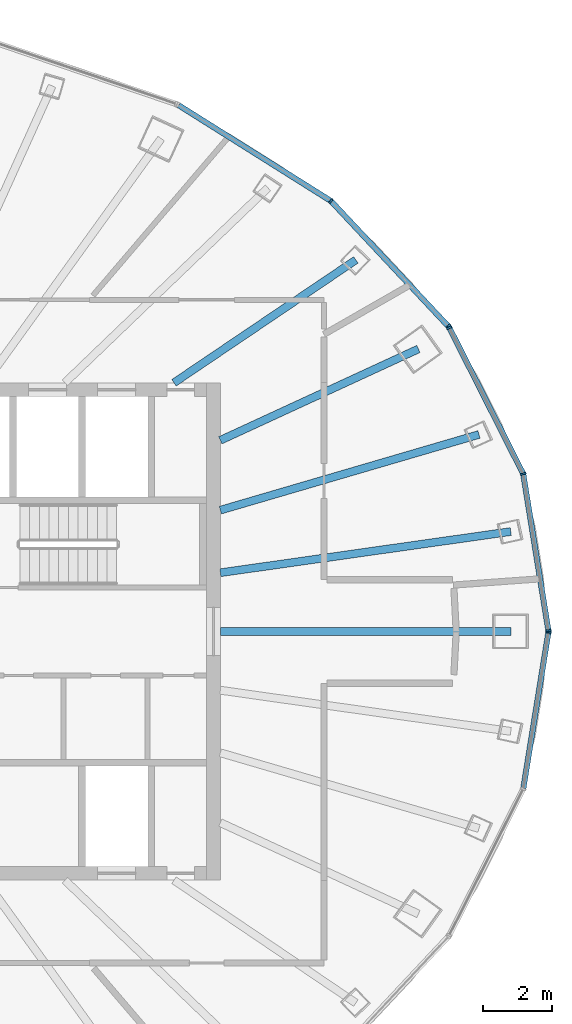
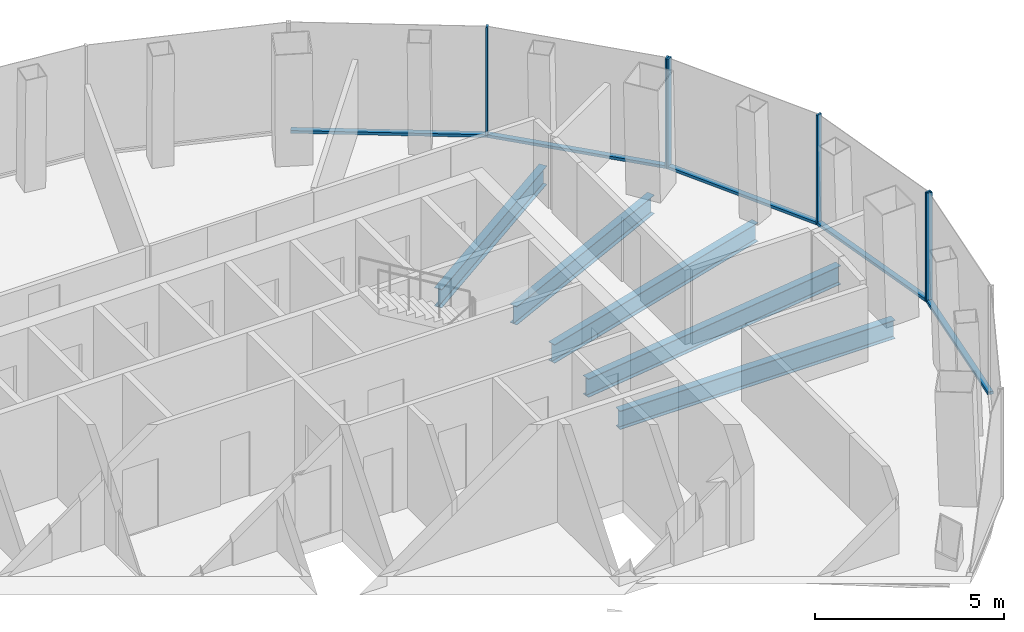
# One storey, part 6 of 12: 11 members, 5 beams, 3 elements without a shape of their own.
"""IFC4 building model written with IfcOpenShell, lengths in metres."""

from ifc_helpers import new_model, si_unit, direction, frame, origin, origin_2d, place, context, subcontext, project, spatial, rectangle, i_section, extrude, material, layer, layer_set, material_profile, profile_set, type_object, element, aggregate, save


model = new_model("IFC4")

# Units and contexts
model_context = context("Model", 3, precision=1e-05, world=origin(), true_north=direction((0.0, 1.0)))
body_context = subcontext(model_context, "Body", "Model", "MODEL_VIEW")
ifc_project = project(units=[si_unit("LENGTHUNIT", "METRE"), si_unit("AREAUNIT", "SQUARE_METRE"), si_unit("VOLUMEUNIT", "CUBIC_METRE"), si_unit("PLANEANGLEUNIT", "RADIAN"), si_unit("MASSUNIT", "GRAM", prefix="KILO")], contexts=[model_context])

# Site, building, storey
site_placement = place(None, origin())
site = spatial("IfcSite", under=ifc_project, at=site_placement, CompositionType="ELEMENT")
building_placement = place(site_placement, origin())
building = spatial("IfcBuilding", under=site, at=building_placement, Name="Siaravel Broadcast Tower", CompositionType="ELEMENT")
storey_placement = place(building_placement, frame((0.0, 0.0, 231.89990234375)))
storey = spatial("IfcBuildingStorey", under=building, at=storey_placement, Name="L56", CompositionType="ELEMENT", Elevation=231.89990234375)

# Beams
ifc_material_1 = material(Name="Steel S355", Category="steel")
ifc_material_profile_1 = material_profile(ifc_material_1, i_section(OverallWidth=0.2275390625, OverallDepth=0.6025390625, WebThickness=0.010498046875, FlangeThickness=0.014892578125, FilletRadius=0.0126953125, at=origin_2d()))
ifc_profile_set_1 = profile_set([ifc_material_profile_1], Name="Steel S355")
beam_type = type_object("IfcBeamType", Name="BM-UB 610x229x101", PredefinedType="BEAM", material=ifc_profile_set_1)
beam_1_placement = place(storey_placement, frame((20.416015625, 0.0, -0.451171875), z_axis=(-1.0, 0.0, 0.0), x_axis=(0.0, -1.0, 0.0)))
element("IfcBeam", 1, at=beam_1_placement, inside=storey, type_object=beam_type, Name="Radial beam RB01", PredefinedType="BEAM", context=body_context, shape_type="SweptSolid", body=[
    extrude(i_section(OverallWidth=0.2275390625, OverallDepth=0.6025390625, WebThickness=0.010498046875, FlangeThickness=0.014892578125, FilletRadius=0.0126953125, at=origin_2d()), origin(), (0.0, 0.0, 1.0), 8.416015625),
])
beam_2_placement = place(storey_placement, frame((20.406982421875, 2.89208984375, -0.451171875), z_axis=(-0.990107016, -0.14031428, 0.0), x_axis=(0.14031428, -0.990107016, 0.0)))
element("IfcBeam", 2, at=beam_2_placement, inside=storey, type_object=beam_type, Name="Radial beam RB02", PredefinedType="BEAM", context=body_context, shape_type="SweptSolid", body=[
    extrude(i_section(OverallWidth=0.2275390625, OverallDepth=0.6025390625, WebThickness=0.010498046875, FlangeThickness=0.014892578125, FilletRadius=0.0126953125, at=origin_2d()), origin(), (0.0, 0.0, 1.0), 8.490966796875),
])
beam_3_placement = place(storey_placement, frame((19.4873046875, 5.702880859375, -0.451171875), z_axis=(-0.959745843, -0.280869928, 0.0), x_axis=(0.280869928, -0.959745843, 0.0)))
element("IfcBeam", 3, at=beam_3_placement, inside=storey, type_object=beam_type, Name="Radial beam RB03", PredefinedType="BEAM", context=body_context, shape_type="SweptSolid", body=[
    extrude(i_section(OverallWidth=0.2275390625, OverallDepth=0.6025390625, WebThickness=0.010498046875, FlangeThickness=0.014892578125, FilletRadius=0.0126953125, at=origin_2d()), origin(), (0.0, 0.0, 1.0), 7.80126953125),
])
beam_4_placement = place(storey_placement, frame((17.734375, 8.17822265625, -0.451171875), z_axis=(-0.90810078, -0.418751684, 0.0), x_axis=(0.418751684, -0.90810078, 0.0)))
element("IfcBeam", 4, at=beam_4_placement, inside=storey, type_object=beam_type, Name="Radial beam RB04", PredefinedType="BEAM", context=body_context, shape_type="SweptSolid", body=[
    extrude(i_section(OverallWidth=0.2275390625, OverallDepth=0.6025390625, WebThickness=0.010498046875, FlangeThickness=0.014892578125, FilletRadius=0.0126953125, at=origin_2d()), origin(), (0.0, 0.0, 1.0), 6.314697265625),
])
beam_5_placement = place(storey_placement, frame((15.92333984375, 10.756103515625, -0.451171875), z_axis=(-0.828653044, -0.559762568, 0.0), x_axis=(0.559762568, -0.828653044, 0.0)))
element("IfcBeam", 5, at=beam_5_placement, inside=storey, type_object=beam_type, Name="Radial beam RB05", PredefinedType="BEAM", context=body_context, shape_type="SweptSolid", body=[
    extrude(i_section(OverallWidth=0.2275390625, OverallDepth=0.6025390625, WebThickness=0.010498046875, FlangeThickness=0.014892578125, FilletRadius=0.0126953125, at=origin_2d()), origin(), (0.0, 0.0, 1.0), 6.35302734375),
])

# Curtain wall, members
ifc_material_2 = material(Name="Aluminium 6063-T6", Category="aluminium")
ifc_layer = layer(ifc_material_2, 0.159912109375)
ifc_layer_set = layer_set([ifc_layer], Name="Aluminium 6063-T6")
curtain_wall_type = type_object("IfcCurtainWallType", Name="Unitised curtain wall, zone 4", PredefinedType="NOTDEFINED", material=ifc_layer_set)
curtain_wall_1_placement = place(storey_placement, origin())
curtain_wall_1 = element("IfcCurtainWall", 6, at=curtain_wall_1_placement, inside=storey, type_object=curtain_wall_type, Name="L56 Unitised curtain wall, zone 4 01", PredefinedType="NOTDEFINED")
ifc_material_profile_2 = material_profile(ifc_material_2, rectangle(XDim=0.159912109375, YDim=0.054931640625, at=origin_2d()))
ifc_profile_set_2 = profile_set([ifc_material_profile_2], Name="Aluminium 6063-T6")
member_type_1 = type_object("IfcMemberType", Name="CW-Z4 mullion", PredefinedType="MULLION", material=ifc_profile_set_2)
member_1_placement = place(storey_placement, frame((21.49755859375, 0.027099609375, 0.0), z_axis=(0.0, 0.0, 1.0), x_axis=(-0.987329287, -0.158684841, 0.0)))
member_1 = element("IfcMember", 7, at=member_1_placement, type_object=member_type_1, Name="CW-Z4 mullion 1", PredefinedType="MULLION", context=body_context, shape_type="SweptSolid", body=[
    extrude(rectangle(XDim=0.159912109375, YDim=0.054931640625, at=origin_2d()), origin(), (0.0, 0.0, 1.0), 3.550048828125),
])
member_2_placement = place(storey_placement, frame((20.7685546875, 4.5634765625, 0.0), z_axis=(0.0, 0.0, 1.0), x_axis=(-0.951177556, -0.308644223, 0.0)))
member_2 = element("IfcMember", 8, at=member_2_placement, type_object=member_type_1, Name="CW-Z4 mullion 2", PredefinedType="MULLION", context=body_context, shape_type="SweptSolid", body=[
    extrude(rectangle(XDim=0.159912109375, YDim=0.054931640625, at=origin_2d()), origin(), (0.0, 0.0, 1.0), 3.550048828125),
])
member_3_placement = place(storey_placement, frame((18.63134765625, 8.7900390625, 0.0), z_axis=(0.0, 0.0, 1.0), x_axis=(-0.89239278, -0.451259489, 0.0)))
member_3 = element("IfcMember", 9, at=member_3_placement, type_object=member_type_1, Name="CW-Z4 mullion 3", PredefinedType="MULLION", context=body_context, shape_type="SweptSolid", body=[
    extrude(rectangle(XDim=0.159912109375, YDim=0.054931640625, at=origin_2d()), origin(), (0.0, 0.0, 1.0), 3.550048828125),
])

curtain_wall_2_placement = place(storey_placement, origin())
curtain_wall_2 = element("IfcCurtainWall", 10, at=curtain_wall_2_placement, inside=storey, type_object=curtain_wall_type, Name="L56 Unitised curtain wall, zone 4 02", PredefinedType="NOTDEFINED")
member_4_placement = place(storey_placement, frame((18.60009765625, 8.834716796875, 0.0), z_axis=(0.0, 0.0, 1.0), x_axis=(-0.72980635, -0.683653927, 0.0)))
member_4 = element("IfcMember", 11, at=member_4_placement, type_object=member_type_1, Name="CW-Z4 mullion 1", PredefinedType="MULLION", context=body_context, shape_type="SweptSolid", body=[
    extrude(rectangle(XDim=0.159912109375, YDim=0.054931640625, at=origin_2d()), origin(), (0.0, 0.0, 1.0), 3.550048828125),
])
member_5_placement = place(storey_placement, frame((15.200439453125, 12.463623046875, 0.0), z_axis=(0.0, 0.0, 1.0), x_axis=(-0.636219746, -0.771507897, 0.0)))
member_5 = element("IfcMember", 12, at=member_5_placement, type_object=member_type_1, Name="CW-Z4 mullion 2", PredefinedType="MULLION", context=body_context, shape_type="SweptSolid", body=[
    extrude(rectangle(XDim=0.159912109375, YDim=0.054931640625, at=origin_2d()), origin(), (0.0, 0.0, 1.0), 3.550048828125),
])

# Curtain wall, member
curtain_wall_3_placement = place(storey_placement, origin())
curtain_wall_3 = element("IfcCurtainWall", 13, at=curtain_wall_3_placement, inside=storey, type_object=curtain_wall_type, Name="L56 Unitised curtain wall, zone 4 12", PredefinedType="NOTDEFINED")
member_6_placement = place(storey_placement, frame((21.49755859375, -0.027099609375, 0.0), z_axis=(0.0, 0.0, 1.0), x_axis=(-0.987329287, 0.158684841, 0.0)))
member_6 = element("IfcMember", 14, at=member_6_placement, type_object=member_type_1, Name="CW-Z4 mullion 3", PredefinedType="MULLION", context=body_context, shape_type="SweptSolid", body=[
    extrude(rectangle(XDim=0.159912109375, YDim=0.054931640625, at=origin_2d()), origin(), (0.0, 0.0, 1.0), 3.550048828125),
])

# Member
ifc_material_profile_3 = material_profile(ifc_material_2, rectangle(XDim=0.159912109375, YDim=0.090087890625, at=origin_2d()))
ifc_profile_set_3 = profile_set([ifc_material_profile_3], Name="Aluminium 6063-T6")
member_type_2 = type_object("IfcMemberType", Name="CW-Z4 transom", PredefinedType="USERDEFINED", material=ifc_profile_set_3)
member_7_placement = place(storey_placement, frame((21.493408203125, 0.05419921875, 0.045166015625), z_axis=(-0.158701499, 0.98732661, 0.0), x_axis=(-0.98732661, -0.158701499, 0.0)))
member_7 = element("IfcMember", 15, at=member_7_placement, type_object=member_type_2, Name="CW-Z4 transom 1", ObjectType="TRANSOM", PredefinedType="USERDEFINED", context=body_context, shape_type="SweptSolid", body=[
    extrude(rectangle(XDim=0.159912109375, YDim=0.090087890625, at=origin_2d()), origin(), (0.0, 0.0, 1.0), 4.539794921875),
])

member_8_placement = place(storey_placement, frame((20.756103515625, 4.587890625, 0.045166015625), z_axis=(-0.451235344, 0.892404989, 0.0), x_axis=(-0.892404989, -0.451235344, 0.0)))
member_8 = element("IfcMember", 16, at=member_8_placement, type_object=member_type_2, Name="CW-Z4 transom 2", ObjectType="TRANSOM", PredefinedType="USERDEFINED", context=body_context, shape_type="SweptSolid", body=[
    extrude(rectangle(XDim=0.159912109375, YDim=0.090087890625, at=origin_2d()), origin(), (0.0, 0.0, 1.0), 4.68115234375),
])

aggregate(curtain_wall_1, [member_1, member_2, member_3, member_7, member_8])

member_9_placement = place(storey_placement, frame((18.581298828125, 8.854736328125, 0.045166015625), z_axis=(-0.68367025, 0.729791059, 0.0), x_axis=(-0.729791059, -0.68367025, 0.0)))
member_9 = element("IfcMember", 17, at=member_9_placement, type_object=member_type_2, Name="CW-Z4 transom 1", ObjectType="TRANSOM", PredefinedType="USERDEFINED", context=body_context, shape_type="SweptSolid", body=[
    extrude(rectangle(XDim=0.159912109375, YDim=0.090087890625, at=origin_2d()), origin(), (0.0, 0.0, 1.0), 4.917724609375),
])

member_10_placement = place(storey_placement, frame((15.17724609375, 12.478271484375, 0.045166015625), z_axis=(-0.846644441, 0.53215899, 0.0), x_axis=(-0.53215899, -0.846644441, 0.0)))
member_10 = element("IfcMember", 18, at=member_10_placement, type_object=member_type_2, Name="CW-Z4 transom 2", ObjectType="TRANSOM", PredefinedType="USERDEFINED", context=body_context, shape_type="SweptSolid", body=[
    extrude(rectangle(XDim=0.159912109375, YDim=0.090087890625, at=origin_2d()), origin(), (0.0, 0.0, 1.0), 5.17724609375),
])

aggregate(curtain_wall_2, [member_4, member_5, member_9, member_10])

member_11_placement = place(storey_placement, frame((20.77294921875, -4.536376953125, 0.045166015625), z_axis=(0.158701499, 0.98732661, 0.0), x_axis=(-0.98732661, 0.158701499, 0.0)))
member_11 = element("IfcMember", 19, at=member_11_placement, type_object=member_type_2, Name="CW-Z4 transom 2", ObjectType="TRANSOM", PredefinedType="USERDEFINED", context=body_context, shape_type="SweptSolid", body=[
    extrude(rectangle(XDim=0.159912109375, YDim=0.090087890625, at=origin_2d()), origin(), (0.0, 0.0, 1.0), 4.539794921875),
])

aggregate(curtain_wall_3, [member_6, member_11])

save(model, "model.ifc")
